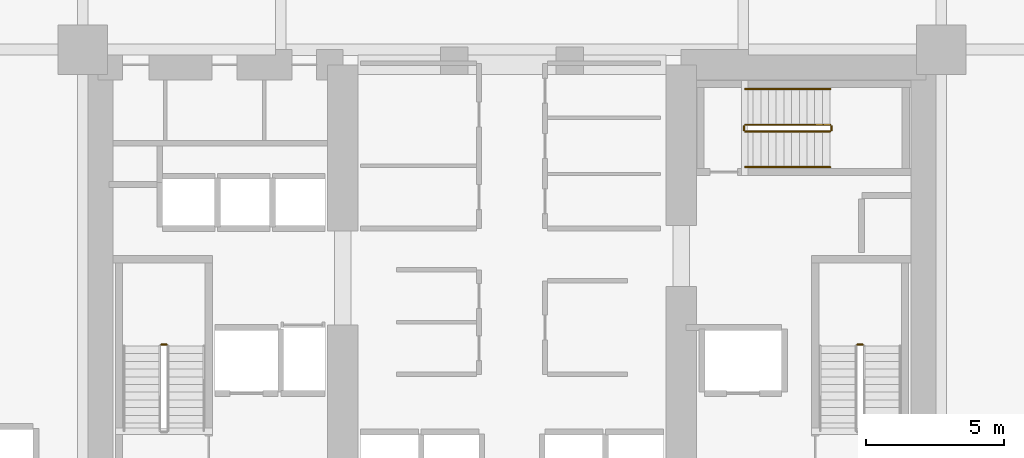
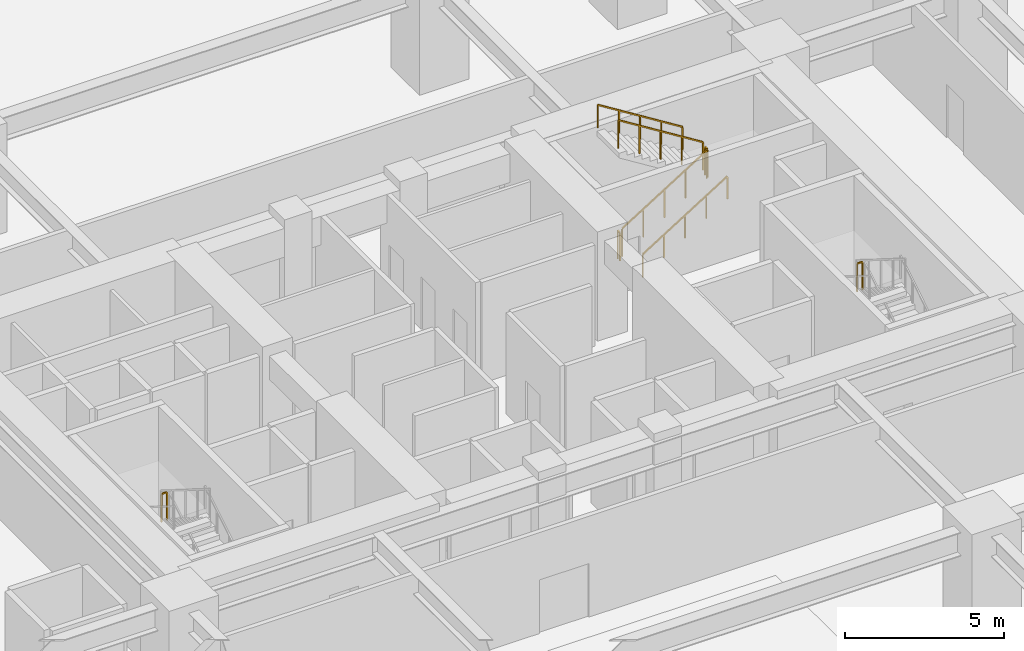
# One storey, part 19 of 22: 8 railings.
"""IFC4 building model written with IfcOpenShell, lengths in metres."""

from ifc_helpers import new_model, si_unit, direction, frame, origin, origin_2d, place, context, subcontext, project, spatial, rectangle, extrude, material, type_object, element, save


model = new_model("IFC4")

# Units and contexts
model_context = context("Model", 3, precision=1e-05, world=origin(), true_north=direction((0.0, 1.0)))
body_context = subcontext(model_context, "Body", "Model", "MODEL_VIEW")
ifc_project = project(units=[si_unit("LENGTHUNIT", "METRE"), si_unit("AREAUNIT", "SQUARE_METRE"), si_unit("VOLUMEUNIT", "CUBIC_METRE"), si_unit("PLANEANGLEUNIT", "RADIAN"), si_unit("MASSUNIT", "GRAM", prefix="KILO")], contexts=[model_context])

# Site, building, storey
site_placement = place(None, origin())
site = spatial("IfcSite", under=ifc_project, at=site_placement, CompositionType="ELEMENT")
building_placement = place(site_placement, origin())
building = spatial("IfcBuilding", under=site, at=building_placement, Name="Kiyonajd Concourse Tower", CompositionType="ELEMENT")
storey_placement = place(building_placement, frame((0.0, 0.0, 4.5)))
storey = spatial("IfcBuildingStorey", under=building, at=storey_placement, Name="L02", CompositionType="ELEMENT", Elevation=4.5)

# Railings
ifc_material_1 = material(Name="Steel ASTM A500 Grade C", Category="steel")
railing_type_1 = type_object("IfcRailingType", Name="RL-GRD-STR", PredefinedType="GUARDRAIL", material=ifc_material_1)
for number, where, name in (
    (1, (35.449951171875, 33.679931640625, 2.10009765625), "L02 ST1 stair guard 2"),
    (2, (60.75, 33.679931640625, 2.10009765625), "L02 ST2 stair guard 2"),
):
    element("IfcRailing", number, at=place(storey_placement, frame(where)), inside=storey, type_object=railing_type_1, Name=name, PredefinedType="GUARDRAIL", context=body_context, shape_type="SweptSolid", body=[
        extrude(rectangle(XDim=0.048095703125, YDim=0.048095703125, at=origin_2d()), frame((0.0, 0.0, 1.076171875), z_axis=(-1.0, 0.0, 0.0), x_axis=(0.0, -1.0, 0.0)), (0.0, 0.0, 1.0), 0.199951171875),
        extrude(rectangle(XDim=0.0419921875, YDim=0.0419921875, at=origin_2d()), origin(), (0.0, 0.0, 1.0), 1.052001953125),
        extrude(rectangle(XDim=0.0419921875, YDim=0.0419921875, at=origin_2d()), frame((-0.199951171875, 0.0, 0.0)), (0.0, 0.0, 1.0), 1.052001953125),
    ])
railing_1_placement = place(storey_placement, frame((56.47998046875, 41.429931640625, 0.175048828125)))
element("IfcRailing", 3, at=railing_1_placement, inside=storey, type_object=railing_type_1, Name="L02 ST3 stair guard 1", PredefinedType="GUARDRAIL", context=body_context, shape_type="SweptSolid", body=[
    extrude(rectangle(XDim=0.048095703125, YDim=0.048095703125, at=origin_2d()), frame((0.0, 0.0, 1.076171875), z_axis=(0.847998304005, 0.0, 0.529998940003), x_axis=(0.0, 1.0, 0.0)), (0.0, 0.0, 1.0), 3.632080078125),
    extrude(rectangle(XDim=0.0419921875, YDim=0.0419921875, at=origin_2d()), origin(), (0.0, 0.0, 1.0), 1.052001953125),
    extrude(rectangle(XDim=0.0419921875, YDim=0.0419921875, at=origin_2d()), frame((0.77001953125, 0.0, 0.481201171875)), (0.0, 0.0, 1.0), 1.052001953125),
    extrude(rectangle(XDim=0.0419921875, YDim=0.0419921875, at=origin_2d()), frame((1.5400390625, 0.0, 0.96240234375)), (0.0, 0.0, 1.0), 1.052001953125),
    extrude(rectangle(XDim=0.0419921875, YDim=0.0419921875, at=origin_2d()), frame((2.31005859375, 0.0, 1.44384765625)), (0.0, 0.0, 1.0), 1.052001953125),
    extrude(rectangle(XDim=0.0419921875, YDim=0.0419921875, at=origin_2d()), frame((3.080078125, 0.0, 1.925048828125)), (0.0, 0.0, 1.0), 1.052001953125),
])
railing_2_placement = place(storey_placement, frame((59.610107421875, 41.47998046875, 2.10009765625)))
element("IfcRailing", 4, at=railing_2_placement, inside=storey, type_object=railing_type_1, Name="L02 ST3 stair guard 2", PredefinedType="GUARDRAIL", context=body_context, shape_type="SweptSolid", body=[
    extrude(rectangle(XDim=0.048095703125, YDim=0.048095703125, at=origin_2d()), frame((0.0, 0.0, 1.076171875), z_axis=(0.0, 1.0, 0.0), x_axis=(-1.0, 0.0, 0.0)), (0.0, 0.0, 1.0), 0.14013671875),
    extrude(rectangle(XDim=0.0419921875, YDim=0.0419921875, at=origin_2d()), origin(), (0.0, 0.0, 1.0), 1.052001953125),
    extrude(rectangle(XDim=0.0419921875, YDim=0.0419921875, at=origin_2d()), frame((0.0, 0.14013671875, 0.0)), (0.0, 0.0, 1.0), 1.052001953125),
])
railing_3_placement = place(storey_placement, frame((59.56005859375, 41.669921875, 2.27490234375)))
element("IfcRailing", 5, at=railing_3_placement, inside=storey, type_object=railing_type_1, Name="L02 ST3 stair guard 3", PredefinedType="GUARDRAIL", context=body_context, shape_type="SweptSolid", body=[
    extrude(rectangle(XDim=0.048095703125, YDim=0.048095703125, at=origin_2d()), frame((0.0, 0.0, 1.076171875), z_axis=(-0.847998304005, 0.0, 0.529998940003), x_axis=(0.0, -1.0, 0.0)), (0.0, 0.0, 1.0), 3.632080078125),
    extrude(rectangle(XDim=0.0419921875, YDim=0.0419921875, at=origin_2d()), origin(), (0.0, 0.0, 1.0), 1.052001953125),
    extrude(rectangle(XDim=0.0419921875, YDim=0.0419921875, at=origin_2d()), frame((-0.77001953125, 0.0, 0.481201171875)), (0.0, 0.0, 1.0), 1.052001953125),
    extrude(rectangle(XDim=0.0419921875, YDim=0.0419921875, at=origin_2d()), frame((-1.5400390625, 0.0, 0.96240234375)), (0.0, 0.0, 1.0), 1.052001953125),
    extrude(rectangle(XDim=0.0419921875, YDim=0.0419921875, at=origin_2d()), frame((-2.31005859375, 0.0, 1.44384765625)), (0.0, 0.0, 1.0), 1.052001953125),
    extrude(rectangle(XDim=0.0419921875, YDim=0.0419921875, at=origin_2d()), frame((-3.080078125, 0.0, 1.925048828125)), (0.0, 0.0, 1.0), 1.052001953125),
])
railing_4_placement = place(storey_placement, frame((56.429931640625, 41.47998046875, 0.0)))
element("IfcRailing", 6, at=railing_4_placement, inside=storey, type_object=railing_type_1, Name="L02 ST3 stair guard 4", PredefinedType="GUARDRAIL", context=body_context, shape_type="SweptSolid", body=[
    extrude(rectangle(XDim=0.048095703125, YDim=0.048095703125, at=origin_2d()), frame((0.0, 0.0, 1.076171875), z_axis=(0.0, 1.0, 0.0), x_axis=(-1.0, 0.0, 0.0)), (0.0, 0.0, 1.0), 0.14013671875),
    extrude(rectangle(XDim=0.0419921875, YDim=0.0419921875, at=origin_2d()), origin(), (0.0, 0.0, 1.0), 1.052001953125),
    extrude(rectangle(XDim=0.0419921875, YDim=0.0419921875, at=origin_2d()), frame((0.0, 0.14013671875, 0.0)), (0.0, 0.0, 1.0), 1.052001953125),
])
ifc_material_2 = material(Name="Brushed Stainless Steel Cab Assembly", Category="steel")
railing_type_2 = type_object("IfcRailingType", Name="RL-HND-900", PredefinedType="HANDRAIL", material=ifc_material_2)
railing_5_placement = place(storey_placement, frame((56.47998046875, 40.1298828125, 0.175048828125)))
element("IfcRailing", 7, at=railing_5_placement, inside=storey, type_object=railing_type_2, Name="L02 ST3 stair handrail 1", PredefinedType="HANDRAIL", context=body_context, shape_type="SweptSolid", body=[
    extrude(rectangle(XDim=0.048095703125, YDim=0.048095703125, at=origin_2d()), frame((0.0, 0.0, 0.8759765625), z_axis=(0.847998304005, 0.0, 0.529998940003), x_axis=(0.0, 1.0, 0.0)), (0.0, 0.0, 1.0), 3.632080078125),
    extrude(rectangle(XDim=0.0419921875, YDim=0.0419921875, at=origin_2d()), origin(), (0.0, 0.0, 1.0), 0.851806640625),
    extrude(rectangle(XDim=0.0419921875, YDim=0.0419921875, at=origin_2d()), frame((0.77001953125, 0.0, 0.481201171875)), (0.0, 0.0, 1.0), 0.851806640625),
    extrude(rectangle(XDim=0.0419921875, YDim=0.0419921875, at=origin_2d()), frame((1.5400390625, 0.0, 0.96240234375)), (0.0, 0.0, 1.0), 0.851806640625),
    extrude(rectangle(XDim=0.0419921875, YDim=0.0419921875, at=origin_2d()), frame((2.31005859375, 0.0, 1.44384765625)), (0.0, 0.0, 1.0), 0.851806640625),
    extrude(rectangle(XDim=0.0419921875, YDim=0.0419921875, at=origin_2d()), frame((3.080078125, 0.0, 1.925048828125)), (0.0, 0.0, 1.0), 0.851806640625),
])
railing_6_placement = place(storey_placement, frame((59.56005859375, 42.969970703125, 2.27490234375)))
element("IfcRailing", 8, at=railing_6_placement, inside=storey, type_object=railing_type_2, Name="L02 ST3 stair handrail 2", PredefinedType="HANDRAIL", context=body_context, shape_type="SweptSolid", body=[
    extrude(rectangle(XDim=0.048095703125, YDim=0.048095703125, at=origin_2d()), frame((0.0, 0.0, 0.8759765625), z_axis=(-0.847998304005, 0.0, 0.529998940003), x_axis=(0.0, -1.0, 0.0)), (0.0, 0.0, 1.0), 3.632080078125),
    extrude(rectangle(XDim=0.0419921875, YDim=0.0419921875, at=origin_2d()), origin(), (0.0, 0.0, 1.0), 0.851806640625),
    extrude(rectangle(XDim=0.0419921875, YDim=0.0419921875, at=origin_2d()), frame((-0.77001953125, 0.0, 0.481201171875)), (0.0, 0.0, 1.0), 0.851806640625),
    extrude(rectangle(XDim=0.0419921875, YDim=0.0419921875, at=origin_2d()), frame((-1.5400390625, 0.0, 0.96240234375)), (0.0, 0.0, 1.0), 0.851806640625),
    extrude(rectangle(XDim=0.0419921875, YDim=0.0419921875, at=origin_2d()), frame((-2.31005859375, 0.0, 1.44384765625)), (0.0, 0.0, 1.0), 0.851806640625),
    extrude(rectangle(XDim=0.0419921875, YDim=0.0419921875, at=origin_2d()), frame((-3.080078125, 0.0, 1.925048828125)), (0.0, 0.0, 1.0), 0.851806640625),
])

save(model, "model.ifc")
